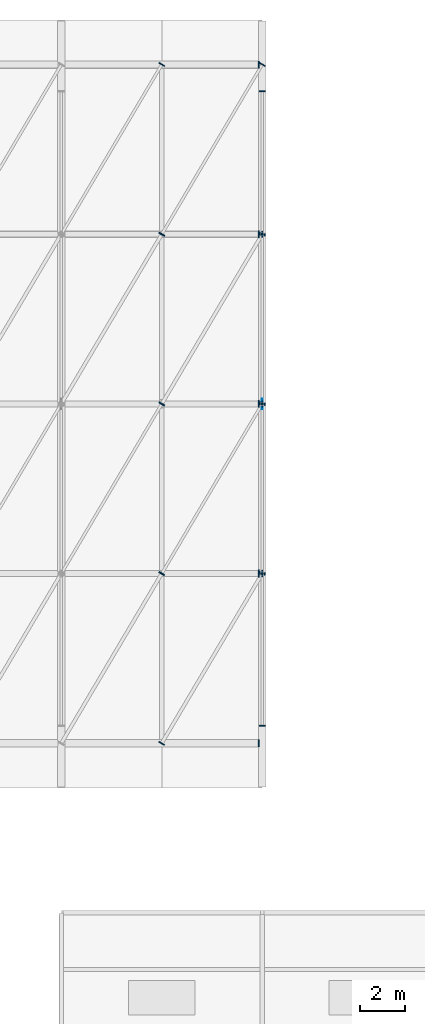
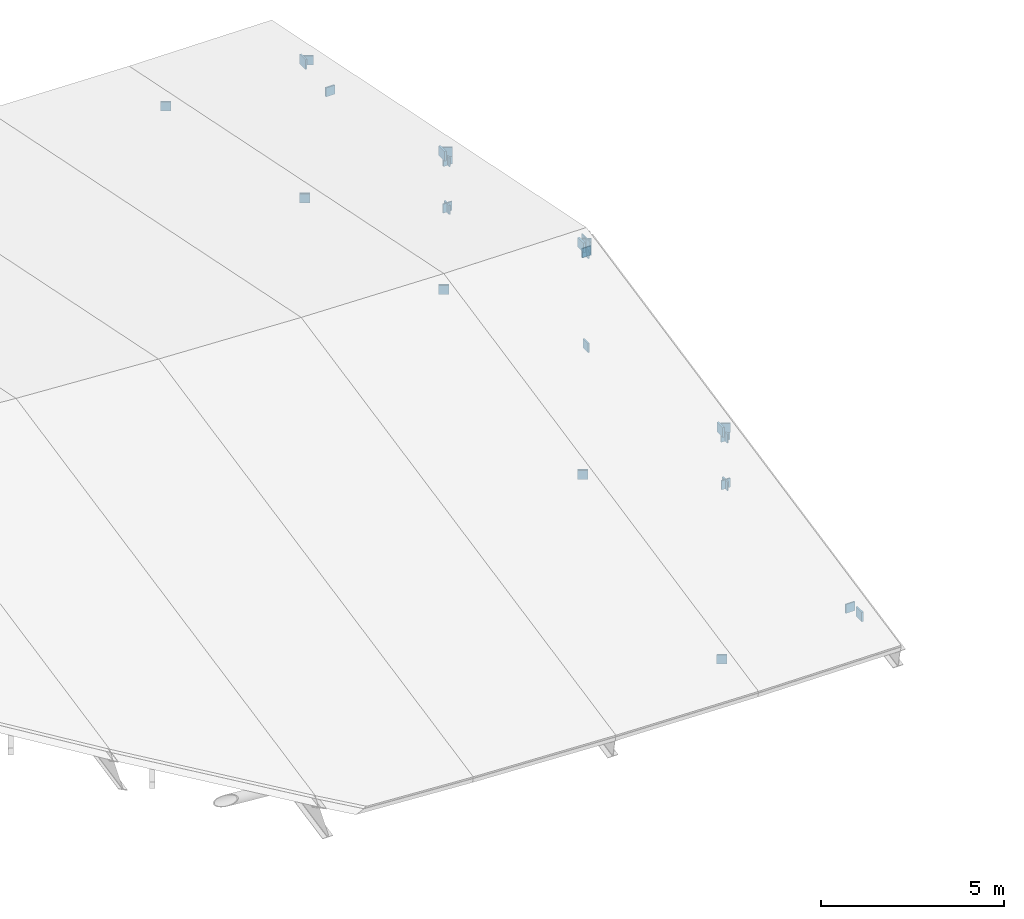
# One storey, part 19 of 21: 32 plates.
"""IFC4 building model written with IfcOpenShell, lengths in metres."""

import ifcopenshell
import ifcopenshell.guid

model = None  # the IFC model being written
_history = None  # IfcOwnerHistory: only IFC2X3 demands one
_inside = {}  # id of a spatial element -> (the spatial element, [elements in it])
_under = {}  # id of a project, library or spatial element -> (it, [spatial elements below it])
_declared = {}  # id of a project -> (the project, [libraries it declares])
_typed = {}  # id of a type object -> (the type object, [elements of that type])
_made_of = {}  # id of a material, layer set ... -> (it, [elements and type objects made of it])


def new_model(schema):
    """Start an empty IFC model of exactly this schema.

    Asked for "IFC4X3", IfcOpenShell would pick the latest addendum, in which some entities
    have other attributes; the version numbers below select the first issue.
    IFC2X3 requires an IfcOwnerHistory on every rooted entity: one is made here for all.
    """
    global model, _history
    if schema == "IFC4X3":
        model = ifcopenshell.file(schema_version=(4, 3, 0, 0))
    else:
        model = ifcopenshell.file(schema=schema)
    _inside.clear()
    _under.clear()
    _declared.clear()
    _typed.clear()
    _made_of.clear()
    _history = None
    if model.schema == "IFC2X3":
        org = make("IfcOrganization", Name="unknown")
        user = make(
            "IfcPersonAndOrganization",
            ThePerson=make("IfcPerson", FamilyName="unknown"),
            TheOrganization=org,
        )
        app = make(
            "IfcApplication",
            ApplicationDeveloper=org,
            Version="unknown",
            ApplicationFullName="unknown",
            ApplicationIdentifier="unknown",
        )
        _history = make(
            "IfcOwnerHistory",
            OwningUser=user,
            OwningApplication=app,
            ChangeAction="ADDED",
            CreationDate=0,
        )
    return model


def make(cls, **values):
    """One entity of the class cls with the attributes given. An attribute that is None is left unset."""
    return model.create_entity(
        cls, **{name: value for name, value in values.items() if value is not None}
    )


def rooted(cls, **values):
    """An entity with a GlobalId (a new one), such as an element, a storey or a relation."""
    return make(cls, GlobalId=ifcopenshell.guid.new(), OwnerHistory=_history, **values)


def si_unit(unit_type, name, prefix=None):
    """IfcSIUnit, for example si_unit("LENGTHUNIT", "METRE", prefix="MILLI")."""
    return make("IfcSIUnit", UnitType=unit_type, Prefix=prefix, Name=name)


def assignment(units):
    """IfcUnitAssignment: the units of a project."""
    return None if units is None else make("IfcUnitAssignment", Units=units)


def point(xyz):
    """IfcCartesianPoint."""
    return None if xyz is None else make("IfcCartesianPoint", Coordinates=xyz)


def direction(xyz):
    """IfcDirection."""
    return None if xyz is None else make("IfcDirection", DirectionRatios=xyz)


def frame(location, z_axis=None, x_axis=None):
    """IfcAxis2Placement3D, a coordinate frame: its origin and axes. An axis left out is left unset."""
    return make(
        "IfcAxis2Placement3D",
        Location=point(location),
        Axis=direction(z_axis),
        RefDirection=direction(x_axis),
    )


def frame_2d(location, x_axis=None):
    """IfcAxis2Placement2D, a coordinate frame in the plane: its origin and x axis."""
    return make(
        "IfcAxis2Placement2D", Location=point(location), RefDirection=direction(x_axis)
    )


def origin():
    """The frame at (0, 0, 0) with its axes left unset."""
    return frame((0.0, 0.0, 0.0))


def origin_2d():
    """The frame at (0, 0) in the plane with its x axis left unset."""
    return frame_2d((0.0, 0.0))


def place(relative_to, where):
    """IfcLocalPlacement: puts the frame where relative to a parent placement (None: the world)."""
    return make(
        "IfcLocalPlacement", PlacementRelTo=relative_to, RelativePlacement=where
    )


def context(
    kind, dimensions, precision=None, world=None, true_north=None, identifier=None
):
    """IfcGeometricRepresentationContext, for example the 3D "Model" context."""
    return make(
        "IfcGeometricRepresentationContext",
        ContextIdentifier=identifier,
        ContextType=kind,
        CoordinateSpaceDimension=dimensions,
        Precision=precision,
        WorldCoordinateSystem=world,
        TrueNorth=true_north,
    )


def subcontext(parent, identifier, kind, view, scale=None):
    """IfcGeometricRepresentationSubContext, for example "Body" below "Model"."""
    return make(
        "IfcGeometricRepresentationSubContext",
        ContextIdentifier=identifier,
        ContextType=kind,
        ParentContext=parent,
        TargetScale=scale,
        TargetView=view,
    )


def project(units=None, contexts=None):
    """IfcProject with its units and contexts."""
    return rooted(
        "IfcProject",
        Name="project",
        RepresentationContexts=contexts,
        UnitsInContext=assignment(units),
    )


def spatial(cls, under=None, at=None, **own):
    """A site, building, storey or space (cls), placed at a placement, below another one or the project."""
    s = rooted(cls, ObjectPlacement=at, **own)
    if under is not None:
        _under.setdefault(under.id(), (under, []))[1].append(s)
    return s


def profile(cls, at=None, kind="AREA", **sizes):
    """A parametric profile (cls). Its sizes go by their IFC names, for example OverallWidth=200.0."""
    return make(cls, ProfileType=kind, Position=at, **sizes)


def rectangle(**sizes):
    """IfcRectangleProfileDef."""
    return profile("IfcRectangleProfileDef", **sizes)


def extrude(swept, where, along, depth):
    """IfcExtrudedAreaSolid: the profile swept, set in the frame where, extruded along a direction by depth."""
    return make(
        "IfcExtrudedAreaSolid",
        SweptArea=swept,
        Position=where,
        ExtrudedDirection=direction(along),
        Depth=depth,
    )


def shape(context_of_items, identifier, shape_type, items):
    """IfcShapeRepresentation: the items that make up one representation, for example the "Body"."""
    return make(
        "IfcShapeRepresentation",
        ContextOfItems=context_of_items,
        RepresentationIdentifier=identifier,
        RepresentationType=shape_type,
        Items=items,
    )


def material(Name=None, Category=None):
    """IfcMaterial."""
    return make("IfcMaterial", Name=Name, Category=Category)


def layer(
    of_material, thickness, ventilated=None, Name=None, Category=None, Priority=None
):
    """IfcMaterialLayer: one layer of a wall or slab, of a material (None: an air gap)."""
    return make(
        "IfcMaterialLayer",
        Material=of_material,
        LayerThickness=thickness,
        IsVentilated=ventilated,
        Name=Name,
        Category=Category,
        Priority=Priority,
    )


def layer_set(layers, Name=None):
    """IfcMaterialLayerSet."""
    return make("IfcMaterialLayerSet", MaterialLayers=layers, LayerSetName=Name)


def made_of(thing, what):
    """Note that an element or type object is made of a material, layer set ...; save() writes the relation."""
    if what is not None:
        _made_of.setdefault(what.id(), (what, []))[1].append(thing)
    return thing


def type_object(cls, material=None, **own):
    """A type object (cls), such as IfcWallType, which elements share."""
    return made_of(rooted(cls, **own), material)


def element(
    cls,
    number,
    at=None,
    inside=None,
    cuts=None,
    type_object=None,
    material=None,
    context=None,
    identifier="Body",
    shape_type=None,
    held_by="IfcProductDefinitionShape",
    body=None,
    shapes=None,
    **own,
):
    """One element of the class cls, such as IfcWall. Its Tag is "e" and its number.

    at: its placement. inside: the storey or other place that contains it. cuts: it is an
    opening in that element (IfcRelVoidsElement). A single representation is given by context,
    identifier, shape_type and body (its items); several are given by shapes. held_by: the class
    of the entity that holds the representations. save() writes the other relations.
    """
    e = rooted(cls, Tag="e%d" % number, ObjectPlacement=at, **own)
    if body is not None:
        shapes = [shape(context, identifier, shape_type, body)]
    if shapes is not None:
        e.Representation = make(held_by, Representations=shapes)
    if inside is not None:
        _inside.setdefault(inside.id(), (inside, []))[1].append(e)
    if cuts is not None:
        rooted(
            "IfcRelVoidsElement", RelatingBuildingElement=cuts, RelatedOpeningElement=e
        )
    if type_object is not None:
        _typed.setdefault(type_object.id(), (type_object, []))[1].append(e)
    return made_of(e, material)


def aggregate(whole, parts):
    """IfcRelAggregates: a whole, such as a stair, and the parts it consists of."""
    return rooted("IfcRelAggregates", RelatingObject=whole, RelatedObjects=parts)


def save(model, path):
    """Write the relations noted so far, then the file.

    IfcRelAggregates (storeys below a building ...), IfcRelContainedInSpatialStructure (elements
    in a storey), IfcRelDefinesByType, IfcRelAssociatesMaterial and IfcRelDeclares: one each for
    every whole, place, type object, material and project.
    """
    for whole, parts in _under.values():
        aggregate(whole, parts)
    for where, things in _inside.values():
        rooted(
            "IfcRelContainedInSpatialStructure",
            RelatedElements=things,
            RelatingStructure=where,
        )
    for kind, things in _typed.values():
        rooted("IfcRelDefinesByType", RelatedObjects=things, RelatingType=kind)
    for what, things in _made_of.values():
        rooted("IfcRelAssociatesMaterial", RelatedObjects=things, RelatingMaterial=what)
    for by, libraries in _declared.values():
        rooted("IfcRelDeclares", RelatingContext=by, RelatedDefinitions=libraries)
    model.write(path)


model = new_model("IFC4")

# Units and contexts
model_context = context("Model", 3, precision=1e-05, world=origin(), true_north=direction((0.0, 1.0)))
body_context = subcontext(model_context, "Body", "Model", "MODEL_VIEW")
ifc_project = project(units=[si_unit("LENGTHUNIT", "METRE"), si_unit("AREAUNIT", "SQUARE_METRE"), si_unit("VOLUMEUNIT", "CUBIC_METRE"), si_unit("PLANEANGLEUNIT", "RADIAN"), si_unit("MASSUNIT", "GRAM", prefix="KILO")], contexts=[model_context])

# Site, building, storey
site_placement = place(None, origin())
site = spatial("IfcSite", under=ifc_project, at=site_placement, CompositionType="ELEMENT")
building_placement = place(site_placement, origin())
building = spatial("IfcBuilding", under=site, at=building_placement, Name="Caisbarro Railhouse Central Library", CompositionType="ELEMENT")
storey_placement = place(building_placement, frame((0.0, 0.0, 26.639892578125)))
storey = spatial("IfcBuildingStorey", under=building, at=storey_placement, Name="RF", CompositionType="ELEMENT", Elevation=26.639892578125)

# Plates
ifc_material = material(Name="Steel ASTM A572 Grade 50", Category="steel")
ifc_layer_1 = layer(ifc_material, 0.044921875, Name="Steel ASTM A572 Grade 50")
ifc_layer_set_1 = layer_set([ifc_layer_1], Name="Steel ASTM A572 Grade 50")
plate_type_1 = type_object("IfcPlateType", Name="PLT-EP01", PredefinedType="SHEET", material=ifc_layer_set_1)
for number, where, z_axis, x_axis, name in (
    (1, (72.0, 38.0, -10.77001953125), (0.0, 0.0, 1.0), (1.0, 0.0, 0.0), "EP01 end cap plate"),
    (2, (72.0, 38.0, -9.18115234375), (0.0, 0.0, 1.0), (1.0, 0.0, 0.0), "EP01 end cap plate"),
    (3, (72.0, 45.60009765625, -10.77001953125), (0.0, 0.0, 1.0), (1.0, 0.0, 0.0), "EP01 end cap plate"),
    (4, (72.0, 45.60009765625, -7.630859375), (0.0, 0.0, 1.0), (1.0, 0.0, 0.0), "EP01 end cap plate"),
    (5, (72.0, 53.199951171875, -10.77001953125), (0.0, 0.0, 1.0), (1.0, 0.0, 0.0), "EP01 end cap plate"),
    (6, (72.0, 53.199951171875, -9.18115234375), (0.0, 0.0, 1.0), (1.0, 0.0, 0.0), "EP01 end cap plate"),
    (7, (72.0, 31.188232421875, -10.7607421875), (0.0, 0.0, 1.0), (0.0, 1.0, 0.0), "EP01 end cap plate"),
    (8, (72.0, 38.01171875, -9.1904296875), (0.0, 0.0, 1.0), (0.0, 1.0, 0.0), "EP01 end cap plate"),
    (9, (72.0, 37.989013671875, -10.7626953125), (0.0, 0.0, 1.0), (0.0, 1.0, 0.0), "EP01 end cap plate"),
    (10, (72.0, 45.611083984375, -7.63818359375), (0.0, 0.0, 1.0), (0.0, 1.0, 0.0), "EP01 end cap plate"),
    (11, (72.0, 59.611572265625, -10.7607421875), (0.0, 0.0, 1.0), (0.0, -1.0, 0.0), "EP01 end cap plate"),
    (12, (72.0, 53.188232421875, -9.18994140625), (0.0, 0.0, 1.0), (0.0, -1.0, 0.0), "EP01 end cap plate"),
    (13, (72.0, 53.211181640625, -10.7626953125), (0.0, 0.0, 1.0), (0.0, -1.0, 0.0), "EP01 end cap plate"),
    (14, (72.0, 45.5888671875, -7.63818359375), (0.0, 0.0, 1.0), (0.0, -1.0, 0.0), "EP01 end cap plate"),
    (15, (67.506103515625, 38.01025390625, -8.87060546875), (0.0, 0.0, 1.0), (0.509492029423, 0.860475375565, 0.0), "EP01 end cap plate"),
    (16, (67.506103515625, 45.610107421875, -7.3203125), (0.0, 0.0, 1.0), (0.509492029423, 0.860475375565, 0.0), "EP01 end cap plate"),
    (17, (67.506103515625, 53.210205078125, -8.87451171875), (0.0, 0.0, 1.0), (0.509492029423, 0.860475375565, 0.0), "EP01 end cap plate"),
    (18, (67.506103515625, 60.81005859375, -10.4248046875), (0.0, 0.0, 1.0), (0.509492029423, 0.860475375565, 0.0), "EP01 end cap plate"),
    (19, (67.493896484375, 30.389892578125, -10.42431640625), (0.0, 0.0, 1.0), (0.509492029423, 0.860475375565, 0.0), "EP01 end cap plate"),
    (20, (72.006103515625, 38.01025390625, -8.90771484375), (0.0, 0.0, 1.0), (0.509492029423, 0.860475375565, 0.0), "EP01 end cap plate"),
    (21, (67.493896484375, 37.98974609375, -8.87451171875), (0.0, 0.0, 1.0), (0.509492029423, 0.860475375565, 0.0), "EP01 end cap plate"),
    (22, (72.006103515625, 45.610107421875, -7.35791015625), (0.0, 0.0, 1.0), (0.509492029423, 0.860475375565, 0.0), "EP01 end cap plate"),
    (23, (67.493896484375, 45.58984375, -7.3203125), (0.0, 0.0, 1.0), (0.509492029423, 0.860475375565, 0.0), "EP01 end cap plate"),
    (24, (72.006103515625, 53.210205078125, -8.912109375), (0.0, 0.0, 1.0), (0.509492029423, 0.860475375565, 0.0), "EP01 end cap plate"),
    (25, (67.493896484375, 53.18994140625, -8.8701171875), (0.0, 0.0, 1.0), (0.509492029423, 0.860475375565, 0.0), "EP01 end cap plate"),
    (26, (72.006103515625, 60.81005859375, -10.4619140625), (0.0, 0.0, 1.0), (0.509492029423, 0.860475375565, 0.0), "EP01 end cap plate"),
):
    element("IfcPlate", number, at=place(storey_placement, frame(where, z_axis=z_axis, x_axis=x_axis)), inside=storey, type_object=plate_type_1, Name=name, PredefinedType="SHEET", context=body_context, shape_type="SweptSolid", body=[
        extrude(rectangle(XDim=0.044921875, YDim=0.280029296875, at=origin_2d()), origin(), (0.0, 0.0, 1.0), 0.300048828125),
    ])
ifc_layer_2 = layer(ifc_material, 0.054931640625, Name="Steel ASTM A572 Grade 50")
ifc_layer_set_2 = layer_set([ifc_layer_2], Name="Steel ASTM A572 Grade 50")
plate_type_2 = type_object("IfcPlateType", Name="PLT-EP02", PredefinedType="SHEET", material=ifc_layer_set_2)
for number, where, z_axis, x_axis, name in (
    (27, (71.846923828125, 30.39990234375, -10.46728515625), (0.0, 0.0, 1.0), (1.0, 0.0, 0.0), "EP02 end cap plate"),
    (28, (71.846923828125, 60.800048828125, -10.46728515625), (0.0, 0.0, 1.0), (1.0, 0.0, 0.0), "EP02 end cap plate"),
    (29, (71.846923828125, 38.0, -8.91748046875), (0.0, 0.0, 1.0), (1.0, 0.0, 0.0), "EP02 end cap plate"),
    (30, (71.846923828125, 53.199951171875, -8.91748046875), (0.0, 0.0, 1.0), (1.0, 0.0, 0.0), "EP02 end cap plate"),
    (31, (71.846923828125, 45.60009765625, -7.3671875), (0.0, 0.0, 1.0), (1.0, 0.0, 0.0), "EP02 end cap plate"),
):
    element("IfcPlate", number, at=place(storey_placement, frame(where, z_axis=z_axis, x_axis=x_axis)), inside=storey, type_object=plate_type_2, Name=name, PredefinedType="SHEET", context=body_context, shape_type="SweptSolid", body=[
        extrude(rectangle(XDim=0.054931640625, YDim=0.320068359375, at=origin_2d()), origin(), (0.0, 0.0, 1.0), 0.320068359375),
    ])
ifc_layer_3 = layer(ifc_material, 0.033935546875, Name="Steel ASTM A572 Grade 50")
ifc_layer_set_3 = layer_set([ifc_layer_3], Name="Steel ASTM A572 Grade 50")
plate_type_3 = type_object("IfcPlateType", Name="PLT-NP01", PredefinedType="SHEET", material=ifc_layer_set_3)
plate_placement = place(storey_placement, frame((72.0, 45.60009765625, -7.39013671875), z_axis=(0.0, 0.0, 1.0), x_axis=(0.0, 1.0, 0.0)))
element("IfcPlate", 32, at=plate_placement, inside=storey, type_object=plate_type_3, Name="NP01 Gridshell Crown Gusset Node 9", PredefinedType="SHEET", context=body_context, shape_type="SweptSolid", body=[
    extrude(rectangle(XDim=0.47998046875, YDim=0.033935546875, at=origin_2d()), origin(), (0.0, 0.0, 1.0), 0.360107421875),
])

save(model, "model.ifc")
